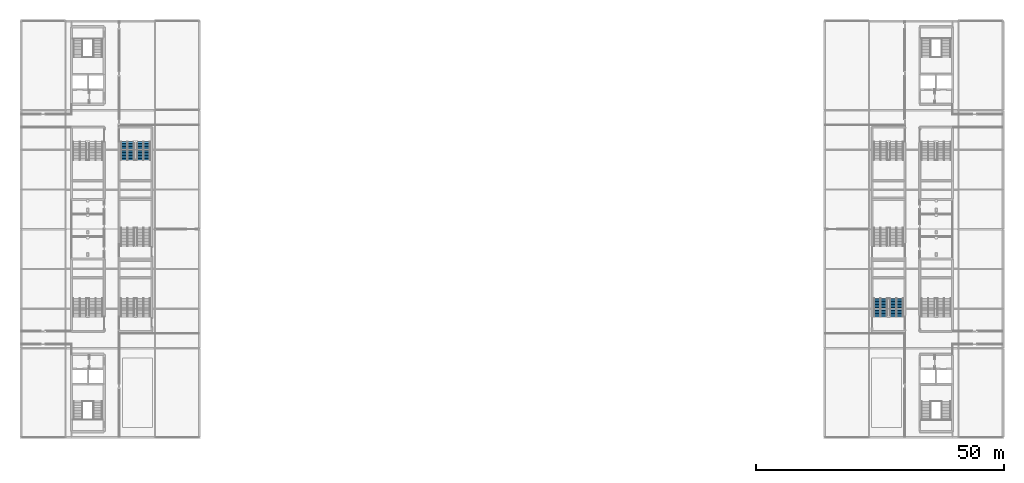
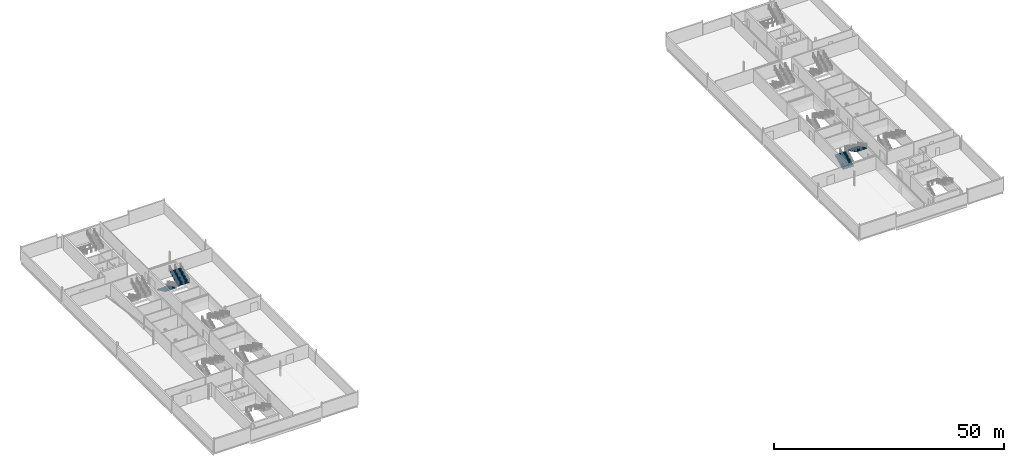
# One storey, part 23 of 30: 4 stair flights, 2 elements without a shape of their own.
"""IFC4 building model written with IfcOpenShell, lengths in metres."""

from ifc_helpers import new_model, si_unit, direction, frame, origin, place, context, subcontext, project, spatial, polygons, material, type_object, element, aggregate, save


model = new_model("IFC4")

# Units and contexts
model_context = context("Model", 3, precision=1e-05, world=origin(), true_north=direction((0.0, 1.0)))
body_context = subcontext(model_context, "Body", "Model", "MODEL_VIEW")
ifc_project = project(units=[si_unit("LENGTHUNIT", "METRE"), si_unit("AREAUNIT", "SQUARE_METRE"), si_unit("VOLUMEUNIT", "CUBIC_METRE"), si_unit("PLANEANGLEUNIT", "RADIAN"), si_unit("MASSUNIT", "GRAM", prefix="KILO")], contexts=[model_context])

# Site, building, storey
site_placement = place(None, origin())
site = spatial("IfcSite", under=ifc_project, at=site_placement, CompositionType="ELEMENT")
building_placement = place(site_placement, origin())
building = spatial("IfcBuilding", under=site, at=building_placement, Name="Kisiwana Market Hall", CompositionType="ELEMENT")
storey_placement = place(building_placement, frame((0.0, 0.0, 54.0)))
storey = spatial("IfcBuildingStorey", under=building, at=storey_placement, Name="L12", CompositionType="ELEMENT", Elevation=54.0)

# Stair, stair flights
ifc_material_1 = material(Name="Concrete C32/40", Category="concrete")
stair_type = type_object("IfcStairType", Name="ST-ESC-3900", PredefinedType="TWO_STRAIGHT_RUN_STAIR", material=ifc_material_1)
stair_1_placement = place(storey_placement, origin())
stair_1 = element("IfcStair", 1, at=stair_1_placement, inside=storey, type_object=stair_type, Name="Escape stair ST-E7-L12", PredefinedType="TWO_STRAIGHT_RUN_STAIR")
ifc_material_2 = material(Name="Concrete C32/40", Category="concrete")
stair_flight_type = type_object("IfcStairFlightType", Name="SF-ESC-3900", PredefinedType="STRAIGHT", material=ifc_material_2)
stair_flight_1_placement = place(storey_placement, frame((173.2900390625, 42.360107421875, 0.0), z_axis=(0.0, 0.0, 1.0), x_axis=(0.0, 1.0, 0.0)))
stair_flight_1 = element("IfcStairFlight", 2, at=stair_flight_1_placement, type_object=stair_flight_type, Name="ST-E7-L12 flight 1", NumberOfRisers=13, NumberOfTreads=12, PredefinedType="STRAIGHT", RiserHeight=0.15, TreadLength=0.305, context=body_context, shape_type="Tessellation", body=[
    polygons([(0.0, -1.380127, 0.0), (0.0, -0.690125, 0.0), (0.0, -0.000122, 0.0), (0.0, 0.68988, 0.0), (0.0, 1.379883, 0.0), (0.0, -1.380127, 0.149902), (0.0, -0.690125, 0.149902), (0.0, -0.000122, 0.149902), (0.0, 0.68988, 0.149902), (0.0, 1.379883, 0.149902), (0.304932, -1.380127, 0.149902), (0.304932, -0.690125, 0.149902), (0.304932, -0.000122, 0.149902), (0.304932, 0.68988, 0.149902), (0.304932, 1.379883, 0.149902), (0.304932, -1.380127, 0.300049), (0.304932, -0.690125, 0.300049), (0.304932, -0.000122, 0.300049), (0.304932, 0.68988, 0.300049), (0.304932, 1.379883, 0.300049), (0.610107, -1.380127, 0.300049), (0.610107, -0.690125, 0.300049), (0.610107, -0.000122, 0.300049), (0.610107, 0.68988, 0.300049), (0.610107, 1.379883, 0.300049), (0.610107, -1.380127, 0.449951), (0.610107, -0.690125, 0.449951), (0.610107, -0.000122, 0.449951), (0.610107, 0.68988, 0.449951), (0.610107, 1.379883, 0.449951), (0.915039, -1.380127, 0.449951), (0.915039, -0.690125, 0.449951), (0.915039, -0.000122, 0.449951), (0.915039, 0.68988, 0.449951), (0.915039, 1.379883, 0.449951), (0.915039, -1.380127, 0.600098), (0.915039, -0.690125, 0.600098), (0.915039, -0.000122, 0.600098), (0.915039, 0.68988, 0.600098), (0.915039, 1.379883, 0.600098), (1.219971, -1.380127, 0.600098), (1.219971, -0.690125, 0.600098), (1.219971, -0.000122, 0.600098), (1.219971, 0.68988, 0.600098), (1.219971, 1.379883, 0.600098), (1.219971, -1.380127, 0.75), (1.219971, -0.690125, 0.75), (1.219971, -0.000122, 0.75), (1.219971, 0.68988, 0.75), (1.219971, 1.379883, 0.75), (1.524902, -1.380127, 0.75), (1.524902, -0.690125, 0.75), (1.524902, -0.000122, 0.75), (1.524902, 0.68988, 0.75), (1.524902, 1.379883, 0.75), (1.524902, -1.380127, 0.899902), (1.524902, -0.690125, 0.899902), (1.524902, -0.000122, 0.899902), (1.524902, 0.68988, 0.899902), (1.524902, 1.379883, 0.899902), (1.830078, -1.380127, 0.899902), (1.830078, -0.690125, 0.899902), (1.830078, -0.000122, 0.899902), (1.830078, 0.68988, 0.899902), (1.830078, 1.379883, 0.899902), (1.830078, -1.380127, 1.050049), (1.830078, -0.690125, 1.050049), (1.830078, -0.000122, 1.050049), (1.830078, 0.68988, 1.050049), (1.830078, 1.379883, 1.050049), (2.13501, -1.380127, 1.050049), (2.13501, -0.690125, 1.050049), (2.13501, -0.000122, 1.050049), (2.13501, 0.68988, 1.050049), (2.13501, 1.379883, 1.050049), (2.13501, -1.380127, 1.199951), (2.13501, -0.690125, 1.199951), (2.13501, -0.000122, 1.199951), (2.13501, 0.68988, 1.199951), (2.13501, 1.379883, 1.199951), (2.439941, -1.380127, 1.199951), (2.439941, -0.690125, 1.199951), (2.439941, -0.000122, 1.199951), (2.439941, 0.68988, 1.199951), (2.439941, 1.379883, 1.199951), (2.439941, -1.380127, 1.350098), (2.439941, -0.690125, 1.350098), (2.439941, -0.000122, 1.350098), (2.439941, 0.68988, 1.350098), (2.439941, 1.379883, 1.350098), (2.745117, -1.380127, 1.350098), (2.745117, -0.690125, 1.350098), (2.745117, -0.000122, 1.350098), (2.745117, 0.68988, 1.350098), (2.745117, 1.379883, 1.350098), (2.745117, -1.380127, 1.5), (2.745117, -0.690125, 1.5), (2.745117, -0.000122, 1.5), (2.745117, 0.68988, 1.5), (2.745117, 1.379883, 1.5), (3.050049, -1.380127, 1.5), (3.050049, -0.690125, 1.5), (3.050049, -0.000122, 1.5), (3.050049, 0.68988, 1.5), (3.050049, 1.379883, 1.5), (3.050049, -1.380127, 1.649902), (3.050049, -0.690125, 1.649902), (3.050049, -0.000122, 1.649902), (3.050049, 0.68988, 1.649902), (3.050049, 1.379883, 1.649902), (3.35498, -1.380127, 1.649902), (3.35498, -0.690125, 1.649902), (3.35498, -0.000122, 1.649902), (3.35498, 0.68988, 1.649902), (3.35498, 1.379883, 1.649902), (3.35498, -1.380127, 1.800049), (3.35498, -0.690125, 1.800049), (3.35498, -0.000122, 1.800049), (3.35498, 0.68988, 1.800049), (3.35498, 1.379883, 1.800049), (3.659912, -1.380127, 1.800049), (3.659912, -0.690125, 1.800049), (3.659912, -0.000122, 1.800049), (3.659912, 0.68988, 1.800049), (3.659912, 1.379883, 1.800049), (3.659912, -1.380127, 1.599365), (3.659912, -0.690125, 1.599365), (3.659912, -0.000122, 1.599365), (3.659912, 0.68988, 1.599365), (3.659912, 1.379883, 1.599365), (0.407715, -1.380127, 0.0), (0.407715, -0.690125, 0.0), (0.407715, -0.000122, 0.0), (0.407715, 0.68988, 0.0), (0.407715, 1.379883, 0.0)], [[[1, 6, 7, 2]], [[2, 7, 8, 3]], [[3, 8, 9, 4]], [[4, 9, 10, 5]], [[6, 11, 12, 7]], [[7, 12, 13, 8]], [[8, 13, 14, 9]], [[9, 14, 15, 10]], [[11, 16, 17, 12]], [[12, 17, 18, 13]], [[13, 18, 19, 14]], [[14, 19, 20, 15]], [[16, 21, 22, 17]], [[17, 22, 23, 18]], [[18, 23, 24, 19]], [[19, 24, 25, 20]], [[21, 26, 27, 22]], [[22, 27, 28, 23]], [[23, 28, 29, 24]], [[24, 29, 30, 25]], [[26, 31, 32, 27]], [[27, 32, 33, 28]], [[28, 33, 34, 29]], [[29, 34, 35, 30]], [[31, 36, 37, 32]], [[32, 37, 38, 33]], [[33, 38, 39, 34]], [[34, 39, 40, 35]], [[36, 41, 42, 37]], [[37, 42, 43, 38]], [[38, 43, 44, 39]], [[39, 44, 45, 40]], [[41, 46, 47, 42]], [[42, 47, 48, 43]], [[43, 48, 49, 44]], [[44, 49, 50, 45]], [[46, 51, 52, 47]], [[47, 52, 53, 48]], [[48, 53, 54, 49]], [[49, 54, 55, 50]], [[51, 56, 57, 52]], [[52, 57, 58, 53]], [[53, 58, 59, 54]], [[54, 59, 60, 55]], [[56, 61, 62, 57]], [[57, 62, 63, 58]], [[58, 63, 64, 59]], [[59, 64, 65, 60]], [[61, 66, 67, 62]], [[62, 67, 68, 63]], [[63, 68, 69, 64]], [[64, 69, 70, 65]], [[66, 71, 72, 67]], [[67, 72, 73, 68]], [[68, 73, 74, 69]], [[69, 74, 75, 70]], [[71, 76, 77, 72]], [[72, 77, 78, 73]], [[73, 78, 79, 74]], [[74, 79, 80, 75]], [[76, 81, 82, 77]], [[77, 82, 83, 78]], [[78, 83, 84, 79]], [[79, 84, 85, 80]], [[81, 86, 87, 82]], [[82, 87, 88, 83]], [[83, 88, 89, 84]], [[84, 89, 90, 85]], [[86, 91, 92, 87]], [[87, 92, 93, 88]], [[88, 93, 94, 89]], [[89, 94, 95, 90]], [[91, 96, 97, 92]], [[92, 97, 98, 93]], [[93, 98, 99, 94]], [[94, 99, 100, 95]], [[96, 101, 102, 97]], [[97, 102, 103, 98]], [[98, 103, 104, 99]], [[99, 104, 105, 100]], [[101, 106, 107, 102]], [[102, 107, 108, 103]], [[103, 108, 109, 104]], [[104, 109, 110, 105]], [[106, 111, 112, 107]], [[107, 112, 113, 108]], [[108, 113, 114, 109]], [[109, 114, 115, 110]], [[111, 116, 117, 112]], [[112, 117, 118, 113]], [[113, 118, 119, 114]], [[114, 119, 120, 115]], [[116, 121, 122, 117]], [[117, 122, 123, 118]], [[118, 123, 124, 119]], [[119, 124, 125, 120]], [[121, 126, 127, 122]], [[122, 127, 128, 123]], [[123, 128, 129, 124]], [[124, 129, 130, 125]], [[126, 131, 132, 127]], [[127, 132, 133, 128]], [[128, 133, 134, 129]], [[129, 134, 135, 130]], [[131, 1, 2, 132]], [[132, 2, 3, 133]], [[133, 3, 4, 134]], [[134, 4, 5, 135]], [[131, 126, 121, 116, 111, 106, 101, 96, 91, 86, 81, 76, 71, 66, 61, 56, 51, 46, 41, 36, 31, 26, 21, 16, 11, 6, 1]], [[5, 10, 15, 20, 25, 30, 35, 40, 45, 50, 55, 60, 65, 70, 75, 80, 85, 90, 95, 100, 105, 110, 115, 120, 125, 130, 135]]], closed=True),
])
stair_flight_2_placement = place(storey_placement, frame((176.510009765625, 46.02001953125, 1.949951171875), z_axis=(0.0, 0.0, 1.0), x_axis=(0.0, -1.0, 0.0)))
stair_flight_2 = element("IfcStairFlight", 3, at=stair_flight_2_placement, type_object=stair_flight_type, Name="ST-E7-L12 flight 2", NumberOfRisers=13, NumberOfTreads=12, PredefinedType="STRAIGHT", RiserHeight=0.15, TreadLength=0.305, context=body_context, shape_type="Tessellation", body=[
    polygons([(0.0, -1.380127, 0.0), (0.0, -0.690125, 0.0), (0.0, -0.000122, 0.0), (0.0, 0.68988, 0.0), (0.0, 1.379883, 0.0), (0.0, -1.380127, 0.149902), (0.0, -0.690125, 0.149902), (0.0, -0.000122, 0.149902), (0.0, 0.68988, 0.149902), (0.0, 1.379883, 0.149902), (0.304932, -1.380127, 0.149902), (0.304932, -0.690125, 0.149902), (0.304932, -0.000122, 0.149902), (0.304932, 0.68988, 0.149902), (0.304932, 1.379883, 0.149902), (0.304932, -1.380127, 0.300049), (0.304932, -0.690125, 0.300049), (0.304932, -0.000122, 0.300049), (0.304932, 0.68988, 0.300049), (0.304932, 1.379883, 0.300049), (0.610107, -1.380127, 0.300049), (0.610107, -0.690125, 0.300049), (0.610107, -0.000122, 0.300049), (0.610107, 0.68988, 0.300049), (0.610107, 1.379883, 0.300049), (0.610107, -1.380127, 0.449951), (0.610107, -0.690125, 0.449951), (0.610107, -0.000122, 0.449951), (0.610107, 0.68988, 0.449951), (0.610107, 1.379883, 0.449951), (0.915039, -1.380127, 0.449951), (0.915039, -0.690125, 0.449951), (0.915039, -0.000122, 0.449951), (0.915039, 0.68988, 0.449951), (0.915039, 1.379883, 0.449951), (0.915039, -1.380127, 0.600098), (0.915039, -0.690125, 0.600098), (0.915039, -0.000122, 0.600098), (0.915039, 0.68988, 0.600098), (0.915039, 1.379883, 0.600098), (1.219971, -1.380127, 0.600098), (1.219971, -0.690125, 0.600098), (1.219971, -0.000122, 0.600098), (1.219971, 0.68988, 0.600098), (1.219971, 1.379883, 0.600098), (1.219971, -1.380127, 0.75), (1.219971, -0.690125, 0.75), (1.219971, -0.000122, 0.75), (1.219971, 0.68988, 0.75), (1.219971, 1.379883, 0.75), (1.524902, -1.380127, 0.75), (1.524902, -0.690125, 0.75), (1.524902, -0.000122, 0.75), (1.524902, 0.68988, 0.75), (1.524902, 1.379883, 0.75), (1.524902, -1.380127, 0.899902), (1.524902, -0.690125, 0.899902), (1.524902, -0.000122, 0.899902), (1.524902, 0.68988, 0.899902), (1.524902, 1.379883, 0.899902), (1.830078, -1.380127, 0.899902), (1.830078, -0.690125, 0.899902), (1.830078, -0.000122, 0.899902), (1.830078, 0.68988, 0.899902), (1.830078, 1.379883, 0.899902), (1.830078, -1.380127, 1.050049), (1.830078, -0.690125, 1.050049), (1.830078, -0.000122, 1.050049), (1.830078, 0.68988, 1.050049), (1.830078, 1.379883, 1.050049), (2.13501, -1.380127, 1.050049), (2.13501, -0.690125, 1.050049), (2.13501, -0.000122, 1.050049), (2.13501, 0.68988, 1.050049), (2.13501, 1.379883, 1.050049), (2.13501, -1.380127, 1.199951), (2.13501, -0.690125, 1.199951), (2.13501, -0.000122, 1.199951), (2.13501, 0.68988, 1.199951), (2.13501, 1.379883, 1.199951), (2.439941, -1.380127, 1.199951), (2.439941, -0.690125, 1.199951), (2.439941, -0.000122, 1.199951), (2.439941, 0.68988, 1.199951), (2.439941, 1.379883, 1.199951), (2.439941, -1.380127, 1.350098), (2.439941, -0.690125, 1.350098), (2.439941, -0.000122, 1.350098), (2.439941, 0.68988, 1.350098), (2.439941, 1.379883, 1.350098), (2.745117, -1.380127, 1.350098), (2.745117, -0.690125, 1.350098), (2.745117, -0.000122, 1.350098), (2.745117, 0.68988, 1.350098), (2.745117, 1.379883, 1.350098), (2.745117, -1.380127, 1.5), (2.745117, -0.690125, 1.5), (2.745117, -0.000122, 1.5), (2.745117, 0.68988, 1.5), (2.745117, 1.379883, 1.5), (3.050049, -1.380127, 1.5), (3.050049, -0.690125, 1.5), (3.050049, -0.000122, 1.5), (3.050049, 0.68988, 1.5), (3.050049, 1.379883, 1.5), (3.050049, -1.380127, 1.649902), (3.050049, -0.690125, 1.649902), (3.050049, -0.000122, 1.649902), (3.050049, 0.68988, 1.649902), (3.050049, 1.379883, 1.649902), (3.35498, -1.380127, 1.649902), (3.35498, -0.690125, 1.649902), (3.35498, -0.000122, 1.649902), (3.35498, 0.68988, 1.649902), (3.35498, 1.379883, 1.649902), (3.35498, -1.380127, 1.800049), (3.35498, -0.690125, 1.800049), (3.35498, -0.000122, 1.800049), (3.35498, 0.68988, 1.800049), (3.35498, 1.379883, 1.800049), (3.659912, -1.380127, 1.800049), (3.659912, -0.690125, 1.800049), (3.659912, -0.000122, 1.800049), (3.659912, 0.68988, 1.800049), (3.659912, 1.379883, 1.800049), (3.659912, -1.380127, 1.599365), (3.659912, -0.690125, 1.599365), (3.659912, -0.000122, 1.599365), (3.659912, 0.68988, 1.599365), (3.659912, 1.379883, 1.599365), (0.407715, -1.380127, 0.0), (0.407715, -0.690125, 0.0), (0.407715, -0.000122, 0.0), (0.407715, 0.68988, 0.0), (0.407715, 1.379883, 0.0)], [[[1, 6, 7, 2]], [[2, 7, 8, 3]], [[3, 8, 9, 4]], [[4, 9, 10, 5]], [[6, 11, 12, 7]], [[7, 12, 13, 8]], [[8, 13, 14, 9]], [[9, 14, 15, 10]], [[11, 16, 17, 12]], [[12, 17, 18, 13]], [[13, 18, 19, 14]], [[14, 19, 20, 15]], [[16, 21, 22, 17]], [[17, 22, 23, 18]], [[18, 23, 24, 19]], [[19, 24, 25, 20]], [[21, 26, 27, 22]], [[22, 27, 28, 23]], [[23, 28, 29, 24]], [[24, 29, 30, 25]], [[26, 31, 32, 27]], [[27, 32, 33, 28]], [[28, 33, 34, 29]], [[29, 34, 35, 30]], [[31, 36, 37, 32]], [[32, 37, 38, 33]], [[33, 38, 39, 34]], [[34, 39, 40, 35]], [[36, 41, 42, 37]], [[37, 42, 43, 38]], [[38, 43, 44, 39]], [[39, 44, 45, 40]], [[41, 46, 47, 42]], [[42, 47, 48, 43]], [[43, 48, 49, 44]], [[44, 49, 50, 45]], [[46, 51, 52, 47]], [[47, 52, 53, 48]], [[48, 53, 54, 49]], [[49, 54, 55, 50]], [[51, 56, 57, 52]], [[52, 57, 58, 53]], [[53, 58, 59, 54]], [[54, 59, 60, 55]], [[56, 61, 62, 57]], [[57, 62, 63, 58]], [[58, 63, 64, 59]], [[59, 64, 65, 60]], [[61, 66, 67, 62]], [[62, 67, 68, 63]], [[63, 68, 69, 64]], [[64, 69, 70, 65]], [[66, 71, 72, 67]], [[67, 72, 73, 68]], [[68, 73, 74, 69]], [[69, 74, 75, 70]], [[71, 76, 77, 72]], [[72, 77, 78, 73]], [[73, 78, 79, 74]], [[74, 79, 80, 75]], [[76, 81, 82, 77]], [[77, 82, 83, 78]], [[78, 83, 84, 79]], [[79, 84, 85, 80]], [[81, 86, 87, 82]], [[82, 87, 88, 83]], [[83, 88, 89, 84]], [[84, 89, 90, 85]], [[86, 91, 92, 87]], [[87, 92, 93, 88]], [[88, 93, 94, 89]], [[89, 94, 95, 90]], [[91, 96, 97, 92]], [[92, 97, 98, 93]], [[93, 98, 99, 94]], [[94, 99, 100, 95]], [[96, 101, 102, 97]], [[97, 102, 103, 98]], [[98, 103, 104, 99]], [[99, 104, 105, 100]], [[101, 106, 107, 102]], [[102, 107, 108, 103]], [[103, 108, 109, 104]], [[104, 109, 110, 105]], [[106, 111, 112, 107]], [[107, 112, 113, 108]], [[108, 113, 114, 109]], [[109, 114, 115, 110]], [[111, 116, 117, 112]], [[112, 117, 118, 113]], [[113, 118, 119, 114]], [[114, 119, 120, 115]], [[116, 121, 122, 117]], [[117, 122, 123, 118]], [[118, 123, 124, 119]], [[119, 124, 125, 120]], [[121, 126, 127, 122]], [[122, 127, 128, 123]], [[123, 128, 129, 124]], [[124, 129, 130, 125]], [[126, 131, 132, 127]], [[127, 132, 133, 128]], [[128, 133, 134, 129]], [[129, 134, 135, 130]], [[131, 1, 2, 132]], [[132, 2, 3, 133]], [[133, 3, 4, 134]], [[134, 4, 5, 135]], [[131, 126, 121, 116, 111, 106, 101, 96, 91, 86, 81, 76, 71, 66, 61, 56, 51, 46, 41, 36, 31, 26, 21, 16, 11, 6, 1]], [[5, 10, 15, 20, 25, 30, 35, 40, 45, 50, 55, 60, 65, 70, 75, 80, 85, 90, 95, 100, 105, 110, 115, 120, 125, 130, 135]]], closed=True),
])
aggregate(stair_1, [stair_flight_1, stair_flight_2])

stair_2_placement = place(storey_placement, origin())
stair_2 = element("IfcStair", 4, at=stair_2_placement, inside=storey, type_object=stair_type, Name="Escape stair ST-W8-L12", PredefinedType="TWO_STRAIGHT_RUN_STAIR")
stair_flight_3_placement = place(storey_placement, frame((21.489990234375, 77.639892578125, 0.0), z_axis=(0.0, 0.0, 1.0), x_axis=(0.0, -1.0, 0.0)))
stair_flight_3 = element("IfcStairFlight", 5, at=stair_flight_3_placement, type_object=stair_flight_type, Name="ST-W8-L12 flight 1", NumberOfRisers=13, NumberOfTreads=12, PredefinedType="STRAIGHT", RiserHeight=0.15, TreadLength=0.305, context=body_context, shape_type="Tessellation", body=[
    polygons([(0.0, -1.380127, 0.0), (0.0, -0.690125, 0.0), (0.0, -0.000122, 0.0), (0.0, 0.68988, 0.0), (0.0, 1.379883, 0.0), (0.0, -1.380127, 0.149902), (0.0, -0.690125, 0.149902), (0.0, -0.000122, 0.149902), (0.0, 0.68988, 0.149902), (0.0, 1.379883, 0.149902), (0.304932, -1.380127, 0.149902), (0.304932, -0.690125, 0.149902), (0.304932, -0.000122, 0.149902), (0.304932, 0.68988, 0.149902), (0.304932, 1.379883, 0.149902), (0.304932, -1.380127, 0.300049), (0.304932, -0.690125, 0.300049), (0.304932, -0.000122, 0.300049), (0.304932, 0.68988, 0.300049), (0.304932, 1.379883, 0.300049), (0.610107, -1.380127, 0.300049), (0.610107, -0.690125, 0.300049), (0.610107, -0.000122, 0.300049), (0.610107, 0.68988, 0.300049), (0.610107, 1.379883, 0.300049), (0.610107, -1.380127, 0.449951), (0.610107, -0.690125, 0.449951), (0.610107, -0.000122, 0.449951), (0.610107, 0.68988, 0.449951), (0.610107, 1.379883, 0.449951), (0.915039, -1.380127, 0.449951), (0.915039, -0.690125, 0.449951), (0.915039, -0.000122, 0.449951), (0.915039, 0.68988, 0.449951), (0.915039, 1.379883, 0.449951), (0.915039, -1.380127, 0.600098), (0.915039, -0.690125, 0.600098), (0.915039, -0.000122, 0.600098), (0.915039, 0.68988, 0.600098), (0.915039, 1.379883, 0.600098), (1.219971, -1.380127, 0.600098), (1.219971, -0.690125, 0.600098), (1.219971, -0.000122, 0.600098), (1.219971, 0.68988, 0.600098), (1.219971, 1.379883, 0.600098), (1.219971, -1.380127, 0.75), (1.219971, -0.690125, 0.75), (1.219971, -0.000122, 0.75), (1.219971, 0.68988, 0.75), (1.219971, 1.379883, 0.75), (1.524902, -1.380127, 0.75), (1.524902, -0.690125, 0.75), (1.524902, -0.000122, 0.75), (1.524902, 0.68988, 0.75), (1.524902, 1.379883, 0.75), (1.524902, -1.380127, 0.899902), (1.524902, -0.690125, 0.899902), (1.524902, -0.000122, 0.899902), (1.524902, 0.68988, 0.899902), (1.524902, 1.379883, 0.899902), (1.830078, -1.380127, 0.899902), (1.830078, -0.690125, 0.899902), (1.830078, -0.000122, 0.899902), (1.830078, 0.68988, 0.899902), (1.830078, 1.379883, 0.899902), (1.830078, -1.380127, 1.050049), (1.830078, -0.690125, 1.050049), (1.830078, -0.000122, 1.050049), (1.830078, 0.68988, 1.050049), (1.830078, 1.379883, 1.050049), (2.13501, -1.380127, 1.050049), (2.13501, -0.690125, 1.050049), (2.13501, -0.000122, 1.050049), (2.13501, 0.68988, 1.050049), (2.13501, 1.379883, 1.050049), (2.13501, -1.380127, 1.199951), (2.13501, -0.690125, 1.199951), (2.13501, -0.000122, 1.199951), (2.13501, 0.68988, 1.199951), (2.13501, 1.379883, 1.199951), (2.439941, -1.380127, 1.199951), (2.439941, -0.690125, 1.199951), (2.439941, -0.000122, 1.199951), (2.439941, 0.68988, 1.199951), (2.439941, 1.379883, 1.199951), (2.439941, -1.380127, 1.350098), (2.439941, -0.690125, 1.350098), (2.439941, -0.000122, 1.350098), (2.439941, 0.68988, 1.350098), (2.439941, 1.379883, 1.350098), (2.745117, -1.380127, 1.350098), (2.745117, -0.690125, 1.350098), (2.745117, -0.000122, 1.350098), (2.745117, 0.68988, 1.350098), (2.745117, 1.379883, 1.350098), (2.745117, -1.380127, 1.5), (2.745117, -0.690125, 1.5), (2.745117, -0.000122, 1.5), (2.745117, 0.68988, 1.5), (2.745117, 1.379883, 1.5), (3.050049, -1.380127, 1.5), (3.050049, -0.690125, 1.5), (3.050049, -0.000122, 1.5), (3.050049, 0.68988, 1.5), (3.050049, 1.379883, 1.5), (3.050049, -1.380127, 1.649902), (3.050049, -0.690125, 1.649902), (3.050049, -0.000122, 1.649902), (3.050049, 0.68988, 1.649902), (3.050049, 1.379883, 1.649902), (3.35498, -1.380127, 1.649902), (3.35498, -0.690125, 1.649902), (3.35498, -0.000122, 1.649902), (3.35498, 0.68988, 1.649902), (3.35498, 1.379883, 1.649902), (3.35498, -1.380127, 1.800049), (3.35498, -0.690125, 1.800049), (3.35498, -0.000122, 1.800049), (3.35498, 0.68988, 1.800049), (3.35498, 1.379883, 1.800049), (3.659912, -1.380127, 1.800049), (3.659912, -0.690125, 1.800049), (3.659912, -0.000122, 1.800049), (3.659912, 0.68988, 1.800049), (3.659912, 1.379883, 1.800049), (3.659912, -1.380127, 1.599365), (3.659912, -0.690125, 1.599365), (3.659912, -0.000122, 1.599365), (3.659912, 0.68988, 1.599365), (3.659912, 1.379883, 1.599365), (0.407715, -1.380127, 0.0), (0.407715, -0.690125, 0.0), (0.407715, -0.000122, 0.0), (0.407715, 0.68988, 0.0), (0.407715, 1.379883, 0.0)], [[[1, 6, 7, 2]], [[2, 7, 8, 3]], [[3, 8, 9, 4]], [[4, 9, 10, 5]], [[6, 11, 12, 7]], [[7, 12, 13, 8]], [[8, 13, 14, 9]], [[9, 14, 15, 10]], [[11, 16, 17, 12]], [[12, 17, 18, 13]], [[13, 18, 19, 14]], [[14, 19, 20, 15]], [[16, 21, 22, 17]], [[17, 22, 23, 18]], [[18, 23, 24, 19]], [[19, 24, 25, 20]], [[21, 26, 27, 22]], [[22, 27, 28, 23]], [[23, 28, 29, 24]], [[24, 29, 30, 25]], [[26, 31, 32, 27]], [[27, 32, 33, 28]], [[28, 33, 34, 29]], [[29, 34, 35, 30]], [[31, 36, 37, 32]], [[32, 37, 38, 33]], [[33, 38, 39, 34]], [[34, 39, 40, 35]], [[36, 41, 42, 37]], [[37, 42, 43, 38]], [[38, 43, 44, 39]], [[39, 44, 45, 40]], [[41, 46, 47, 42]], [[42, 47, 48, 43]], [[43, 48, 49, 44]], [[44, 49, 50, 45]], [[46, 51, 52, 47]], [[47, 52, 53, 48]], [[48, 53, 54, 49]], [[49, 54, 55, 50]], [[51, 56, 57, 52]], [[52, 57, 58, 53]], [[53, 58, 59, 54]], [[54, 59, 60, 55]], [[56, 61, 62, 57]], [[57, 62, 63, 58]], [[58, 63, 64, 59]], [[59, 64, 65, 60]], [[61, 66, 67, 62]], [[62, 67, 68, 63]], [[63, 68, 69, 64]], [[64, 69, 70, 65]], [[66, 71, 72, 67]], [[67, 72, 73, 68]], [[68, 73, 74, 69]], [[69, 74, 75, 70]], [[71, 76, 77, 72]], [[72, 77, 78, 73]], [[73, 78, 79, 74]], [[74, 79, 80, 75]], [[76, 81, 82, 77]], [[77, 82, 83, 78]], [[78, 83, 84, 79]], [[79, 84, 85, 80]], [[81, 86, 87, 82]], [[82, 87, 88, 83]], [[83, 88, 89, 84]], [[84, 89, 90, 85]], [[86, 91, 92, 87]], [[87, 92, 93, 88]], [[88, 93, 94, 89]], [[89, 94, 95, 90]], [[91, 96, 97, 92]], [[92, 97, 98, 93]], [[93, 98, 99, 94]], [[94, 99, 100, 95]], [[96, 101, 102, 97]], [[97, 102, 103, 98]], [[98, 103, 104, 99]], [[99, 104, 105, 100]], [[101, 106, 107, 102]], [[102, 107, 108, 103]], [[103, 108, 109, 104]], [[104, 109, 110, 105]], [[106, 111, 112, 107]], [[107, 112, 113, 108]], [[108, 113, 114, 109]], [[109, 114, 115, 110]], [[111, 116, 117, 112]], [[112, 117, 118, 113]], [[113, 118, 119, 114]], [[114, 119, 120, 115]], [[116, 121, 122, 117]], [[117, 122, 123, 118]], [[118, 123, 124, 119]], [[119, 124, 125, 120]], [[121, 126, 127, 122]], [[122, 127, 128, 123]], [[123, 128, 129, 124]], [[124, 129, 130, 125]], [[126, 131, 132, 127]], [[127, 132, 133, 128]], [[128, 133, 134, 129]], [[129, 134, 135, 130]], [[131, 1, 2, 132]], [[132, 2, 3, 133]], [[133, 3, 4, 134]], [[134, 4, 5, 135]], [[131, 126, 121, 116, 111, 106, 101, 96, 91, 86, 81, 76, 71, 66, 61, 56, 51, 46, 41, 36, 31, 26, 21, 16, 11, 6, 1]], [[5, 10, 15, 20, 25, 30, 35, 40, 45, 50, 55, 60, 65, 70, 75, 80, 85, 90, 95, 100, 105, 110, 115, 120, 125, 130, 135]]], closed=True),
])
stair_flight_4_placement = place(storey_placement, frame((24.7099609375, 73.97998046875, 1.949951171875), z_axis=(0.0, 0.0, 1.0), x_axis=(0.0, 1.0, 0.0)))
stair_flight_4 = element("IfcStairFlight", 6, at=stair_flight_4_placement, type_object=stair_flight_type, Name="ST-W8-L12 flight 2", NumberOfRisers=13, NumberOfTreads=12, PredefinedType="STRAIGHT", RiserHeight=0.15, TreadLength=0.305, context=body_context, shape_type="Tessellation", body=[
    polygons([(0.0, -1.380127, 0.0), (0.0, -0.690125, 0.0), (0.0, -0.000122, 0.0), (0.0, 0.68988, 0.0), (0.0, 1.379883, 0.0), (0.0, -1.380127, 0.149902), (0.0, -0.690125, 0.149902), (0.0, -0.000122, 0.149902), (0.0, 0.68988, 0.149902), (0.0, 1.379883, 0.149902), (0.304932, -1.380127, 0.149902), (0.304932, -0.690125, 0.149902), (0.304932, -0.000122, 0.149902), (0.304932, 0.68988, 0.149902), (0.304932, 1.379883, 0.149902), (0.304932, -1.380127, 0.300049), (0.304932, -0.690125, 0.300049), (0.304932, -0.000122, 0.300049), (0.304932, 0.68988, 0.300049), (0.304932, 1.379883, 0.300049), (0.610107, -1.380127, 0.300049), (0.610107, -0.690125, 0.300049), (0.610107, -0.000122, 0.300049), (0.610107, 0.68988, 0.300049), (0.610107, 1.379883, 0.300049), (0.610107, -1.380127, 0.449951), (0.610107, -0.690125, 0.449951), (0.610107, -0.000122, 0.449951), (0.610107, 0.68988, 0.449951), (0.610107, 1.379883, 0.449951), (0.915039, -1.380127, 0.449951), (0.915039, -0.690125, 0.449951), (0.915039, -0.000122, 0.449951), (0.915039, 0.68988, 0.449951), (0.915039, 1.379883, 0.449951), (0.915039, -1.380127, 0.600098), (0.915039, -0.690125, 0.600098), (0.915039, -0.000122, 0.600098), (0.915039, 0.68988, 0.600098), (0.915039, 1.379883, 0.600098), (1.219971, -1.380127, 0.600098), (1.219971, -0.690125, 0.600098), (1.219971, -0.000122, 0.600098), (1.219971, 0.68988, 0.600098), (1.219971, 1.379883, 0.600098), (1.219971, -1.380127, 0.75), (1.219971, -0.690125, 0.75), (1.219971, -0.000122, 0.75), (1.219971, 0.68988, 0.75), (1.219971, 1.379883, 0.75), (1.524902, -1.380127, 0.75), (1.524902, -0.690125, 0.75), (1.524902, -0.000122, 0.75), (1.524902, 0.68988, 0.75), (1.524902, 1.379883, 0.75), (1.524902, -1.380127, 0.899902), (1.524902, -0.690125, 0.899902), (1.524902, -0.000122, 0.899902), (1.524902, 0.68988, 0.899902), (1.524902, 1.379883, 0.899902), (1.830078, -1.380127, 0.899902), (1.830078, -0.690125, 0.899902), (1.830078, -0.000122, 0.899902), (1.830078, 0.68988, 0.899902), (1.830078, 1.379883, 0.899902), (1.830078, -1.380127, 1.050049), (1.830078, -0.690125, 1.050049), (1.830078, -0.000122, 1.050049), (1.830078, 0.68988, 1.050049), (1.830078, 1.379883, 1.050049), (2.13501, -1.380127, 1.050049), (2.13501, -0.690125, 1.050049), (2.13501, -0.000122, 1.050049), (2.13501, 0.68988, 1.050049), (2.13501, 1.379883, 1.050049), (2.13501, -1.380127, 1.199951), (2.13501, -0.690125, 1.199951), (2.13501, -0.000122, 1.199951), (2.13501, 0.68988, 1.199951), (2.13501, 1.379883, 1.199951), (2.439941, -1.380127, 1.199951), (2.439941, -0.690125, 1.199951), (2.439941, -0.000122, 1.199951), (2.439941, 0.68988, 1.199951), (2.439941, 1.379883, 1.199951), (2.439941, -1.380127, 1.350098), (2.439941, -0.690125, 1.350098), (2.439941, -0.000122, 1.350098), (2.439941, 0.68988, 1.350098), (2.439941, 1.379883, 1.350098), (2.745117, -1.380127, 1.350098), (2.745117, -0.690125, 1.350098), (2.745117, -0.000122, 1.350098), (2.745117, 0.68988, 1.350098), (2.745117, 1.379883, 1.350098), (2.745117, -1.380127, 1.5), (2.745117, -0.690125, 1.5), (2.745117, -0.000122, 1.5), (2.745117, 0.68988, 1.5), (2.745117, 1.379883, 1.5), (3.050049, -1.380127, 1.5), (3.050049, -0.690125, 1.5), (3.050049, -0.000122, 1.5), (3.050049, 0.68988, 1.5), (3.050049, 1.379883, 1.5), (3.050049, -1.380127, 1.649902), (3.050049, -0.690125, 1.649902), (3.050049, -0.000122, 1.649902), (3.050049, 0.68988, 1.649902), (3.050049, 1.379883, 1.649902), (3.35498, -1.380127, 1.649902), (3.35498, -0.690125, 1.649902), (3.35498, -0.000122, 1.649902), (3.35498, 0.68988, 1.649902), (3.35498, 1.379883, 1.649902), (3.35498, -1.380127, 1.800049), (3.35498, -0.690125, 1.800049), (3.35498, -0.000122, 1.800049), (3.35498, 0.68988, 1.800049), (3.35498, 1.379883, 1.800049), (3.659912, -1.380127, 1.800049), (3.659912, -0.690125, 1.800049), (3.659912, -0.000122, 1.800049), (3.659912, 0.68988, 1.800049), (3.659912, 1.379883, 1.800049), (3.659912, -1.380127, 1.599365), (3.659912, -0.690125, 1.599365), (3.659912, -0.000122, 1.599365), (3.659912, 0.68988, 1.599365), (3.659912, 1.379883, 1.599365), (0.407715, -1.380127, 0.0), (0.407715, -0.690125, 0.0), (0.407715, -0.000122, 0.0), (0.407715, 0.68988, 0.0), (0.407715, 1.379883, 0.0)], [[[1, 6, 7, 2]], [[2, 7, 8, 3]], [[3, 8, 9, 4]], [[4, 9, 10, 5]], [[6, 11, 12, 7]], [[7, 12, 13, 8]], [[8, 13, 14, 9]], [[9, 14, 15, 10]], [[11, 16, 17, 12]], [[12, 17, 18, 13]], [[13, 18, 19, 14]], [[14, 19, 20, 15]], [[16, 21, 22, 17]], [[17, 22, 23, 18]], [[18, 23, 24, 19]], [[19, 24, 25, 20]], [[21, 26, 27, 22]], [[22, 27, 28, 23]], [[23, 28, 29, 24]], [[24, 29, 30, 25]], [[26, 31, 32, 27]], [[27, 32, 33, 28]], [[28, 33, 34, 29]], [[29, 34, 35, 30]], [[31, 36, 37, 32]], [[32, 37, 38, 33]], [[33, 38, 39, 34]], [[34, 39, 40, 35]], [[36, 41, 42, 37]], [[37, 42, 43, 38]], [[38, 43, 44, 39]], [[39, 44, 45, 40]], [[41, 46, 47, 42]], [[42, 47, 48, 43]], [[43, 48, 49, 44]], [[44, 49, 50, 45]], [[46, 51, 52, 47]], [[47, 52, 53, 48]], [[48, 53, 54, 49]], [[49, 54, 55, 50]], [[51, 56, 57, 52]], [[52, 57, 58, 53]], [[53, 58, 59, 54]], [[54, 59, 60, 55]], [[56, 61, 62, 57]], [[57, 62, 63, 58]], [[58, 63, 64, 59]], [[59, 64, 65, 60]], [[61, 66, 67, 62]], [[62, 67, 68, 63]], [[63, 68, 69, 64]], [[64, 69, 70, 65]], [[66, 71, 72, 67]], [[67, 72, 73, 68]], [[68, 73, 74, 69]], [[69, 74, 75, 70]], [[71, 76, 77, 72]], [[72, 77, 78, 73]], [[73, 78, 79, 74]], [[74, 79, 80, 75]], [[76, 81, 82, 77]], [[77, 82, 83, 78]], [[78, 83, 84, 79]], [[79, 84, 85, 80]], [[81, 86, 87, 82]], [[82, 87, 88, 83]], [[83, 88, 89, 84]], [[84, 89, 90, 85]], [[86, 91, 92, 87]], [[87, 92, 93, 88]], [[88, 93, 94, 89]], [[89, 94, 95, 90]], [[91, 96, 97, 92]], [[92, 97, 98, 93]], [[93, 98, 99, 94]], [[94, 99, 100, 95]], [[96, 101, 102, 97]], [[97, 102, 103, 98]], [[98, 103, 104, 99]], [[99, 104, 105, 100]], [[101, 106, 107, 102]], [[102, 107, 108, 103]], [[103, 108, 109, 104]], [[104, 109, 110, 105]], [[106, 111, 112, 107]], [[107, 112, 113, 108]], [[108, 113, 114, 109]], [[109, 114, 115, 110]], [[111, 116, 117, 112]], [[112, 117, 118, 113]], [[113, 118, 119, 114]], [[114, 119, 120, 115]], [[116, 121, 122, 117]], [[117, 122, 123, 118]], [[118, 123, 124, 119]], [[119, 124, 125, 120]], [[121, 126, 127, 122]], [[122, 127, 128, 123]], [[123, 128, 129, 124]], [[124, 129, 130, 125]], [[126, 131, 132, 127]], [[127, 132, 133, 128]], [[128, 133, 134, 129]], [[129, 134, 135, 130]], [[131, 1, 2, 132]], [[132, 2, 3, 133]], [[133, 3, 4, 134]], [[134, 4, 5, 135]], [[131, 126, 121, 116, 111, 106, 101, 96, 91, 86, 81, 76, 71, 66, 61, 56, 51, 46, 41, 36, 31, 26, 21, 16, 11, 6, 1]], [[5, 10, 15, 20, 25, 30, 35, 40, 45, 50, 55, 60, 65, 70, 75, 80, 85, 90, 95, 100, 105, 110, 115, 120, 125, 130, 135]]], closed=True),
])
aggregate(stair_2, [stair_flight_3, stair_flight_4])

save(model, "model.ifc")
